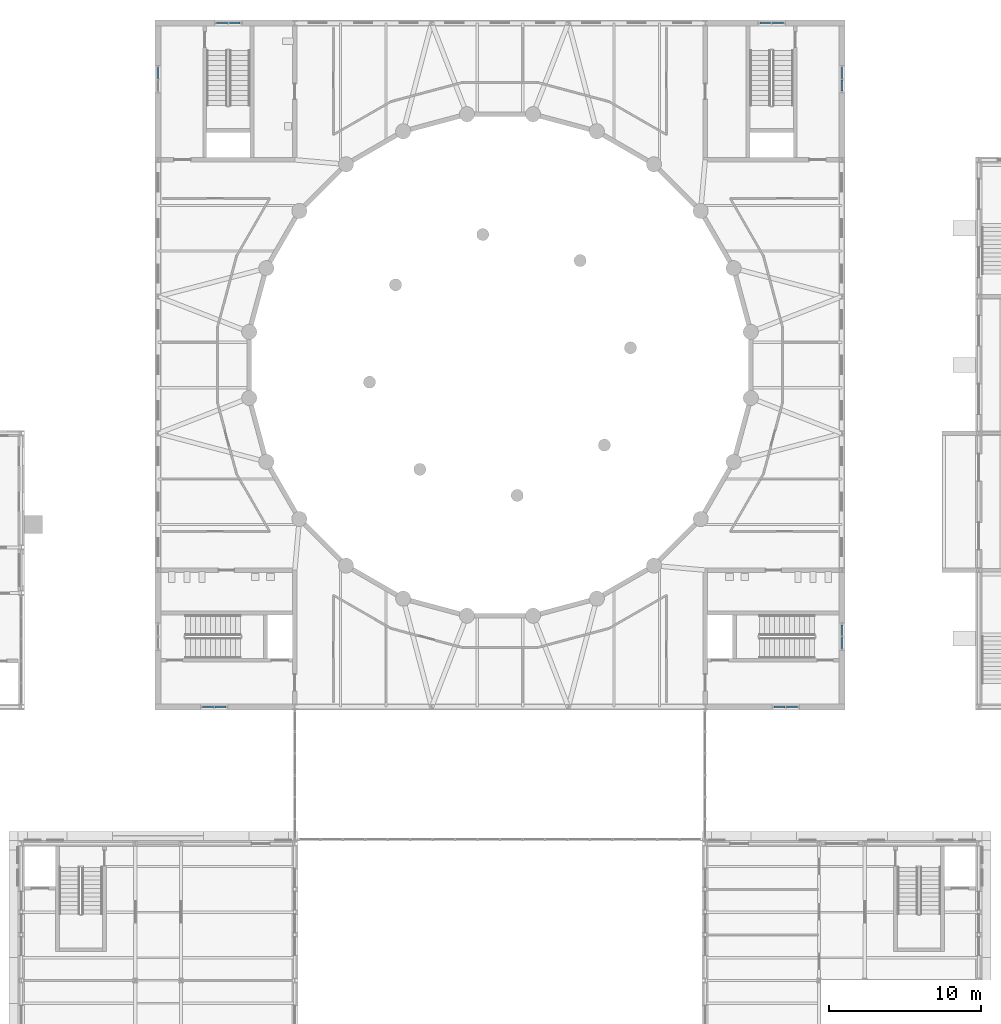
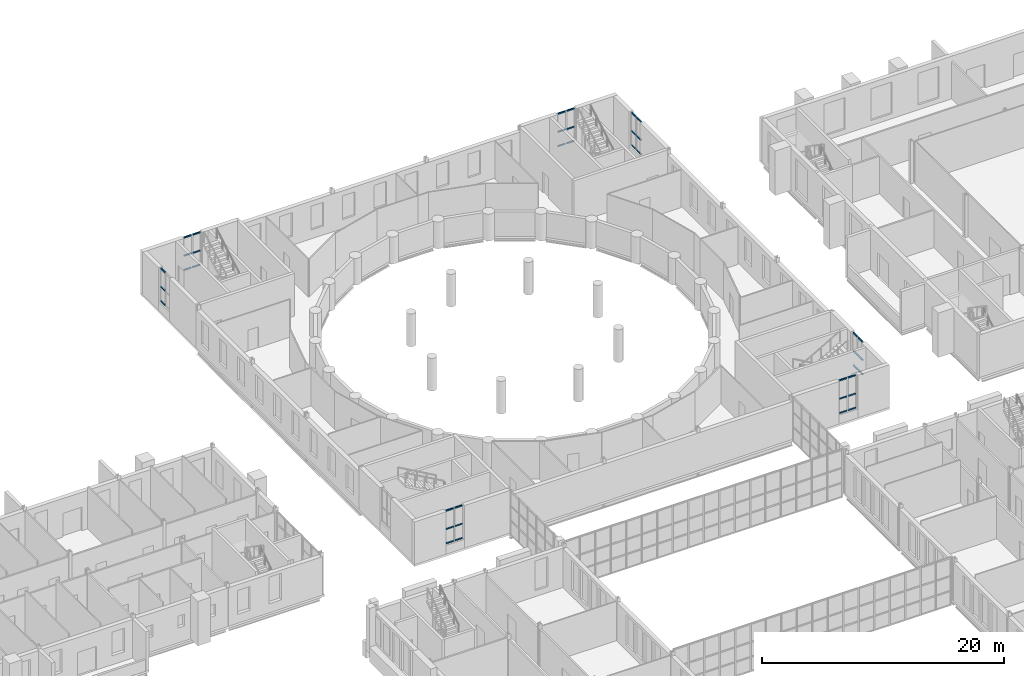
# One storey, part 55 of 134: 39 members, 7 elements without a shape of their own.
"""IFC4 building model written with IfcOpenShell, lengths in metres."""

from ifc_helpers import new_model, si_unit, direction, frame, origin, origin_2d, place, context, subcontext, project, spatial, hollow_rectangle, extrude, material, material_profile, profile_set, type_object, element, aggregate, save


model = new_model("IFC4")

# Units and contexts
model_context = context("Model", 3, precision=1e-05, world=origin(), true_north=direction((0.0, 1.0)))
body_context = subcontext(model_context, "Body", "Model", "MODEL_VIEW")
ifc_project = project(units=[si_unit("LENGTHUNIT", "METRE"), si_unit("AREAUNIT", "SQUARE_METRE"), si_unit("VOLUMEUNIT", "CUBIC_METRE"), si_unit("PLANEANGLEUNIT", "RADIAN"), si_unit("MASSUNIT", "GRAM", prefix="KILO")], contexts=[model_context])

# Site, building, storey
site_placement = place(None, origin())
site = spatial("IfcSite", under=ifc_project, at=site_placement, CompositionType="ELEMENT")
building_placement = place(site_placement, origin())
building = spatial("IfcBuilding", under=site, at=building_placement, Name="Golden Quay Civic Hall", CompositionType="ELEMENT")
storey_placement = place(building_placement, frame((0.0, 0.0, 5.39990234375)))
storey = spatial("IfcBuildingStorey", under=building, at=storey_placement, Name="L01", CompositionType="ELEMENT", Elevation=5.39990234375)

# Curtain wall, members
ifc_material_1 = material(Name="Fire-resisting glass and steel", Category="steel")
curtain_wall_type = type_object("IfcCurtainWallType", Name="Fire-resisting glazed stair curtain wall EI 120", PredefinedType="NOTDEFINED", material=ifc_material_1)
curtain_wall_1_placement = place(storey_placement, origin())
curtain_wall_1 = element("IfcCurtainWall", 1, at=curtain_wall_1_placement, inside=storey, type_object=curtain_wall_type, Name="CW4 stair curtain wall", PredefinedType="NOTDEFINED")
ifc_material_2 = material(Name="Steel S355", Category="steel")
ifc_material_profile = material_profile(ifc_material_2, hollow_rectangle(XDim=0.1201171875, YDim=0.1201171875, WallThickness=0.012451171875, at=origin_2d()), Name="SHS 120x120x12.5")
ifc_profile_set = profile_set([ifc_material_profile], Name="Steel S355")
member_type = type_object("IfcMemberType", Name="Fire-resisting steel stair transom 120 x 120", PredefinedType="USERDEFINED", material=ifc_profile_set)
member_1_placement = place(storey_placement, frame((65.919921875, 63.0, 0.960205078125), z_axis=(1.0, 0.0, 0.0), x_axis=(0.0, 1.0, 0.0)))
member_1 = element("IfcMember", 2, at=member_1_placement, type_object=member_type, Name="CW4 transom 1.1", ObjectType="TRANSOM", PredefinedType="USERDEFINED", context=body_context, shape_type="SweptSolid", body=[
    extrude(hollow_rectangle(XDim=0.1201171875, YDim=0.1201171875, WallThickness=0.012451171875, at=origin_2d()), origin(), (0.0, 0.0, 1.0), 0.719970703125),
])
member_2_placement = place(storey_placement, frame((65.919921875, 63.0, 2.400146484375), z_axis=(1.0, 0.0, 0.0), x_axis=(0.0, 1.0, 0.0)))
member_2 = element("IfcMember", 3, at=member_2_placement, type_object=member_type, Name="CW4 transom 1.2", ObjectType="TRANSOM", PredefinedType="USERDEFINED", context=body_context, shape_type="SweptSolid", body=[
    extrude(hollow_rectangle(XDim=0.1201171875, YDim=0.1201171875, WallThickness=0.012451171875, at=origin_2d()), origin(), (0.0, 0.0, 1.0), 0.719970703125),
])
member_3_placement = place(storey_placement, frame((65.919921875, 63.0, 4.239990234375), z_axis=(1.0, 0.0, 0.0), x_axis=(0.0, 1.0, 0.0)))
member_3 = element("IfcMember", 4, at=member_3_placement, type_object=member_type, Name="CW4 transom 1.3", ObjectType="TRANSOM", PredefinedType="USERDEFINED", context=body_context, shape_type="SweptSolid", body=[
    extrude(hollow_rectangle(XDim=0.1201171875, YDim=0.1201171875, WallThickness=0.012451171875, at=origin_2d()), origin(), (0.0, 0.0, 1.0), 0.719970703125),
])
member_4_placement = place(storey_placement, frame((66.760009765625, 63.0, 0.960205078125), z_axis=(1.0, 0.0, 0.0), x_axis=(0.0, 1.0, 0.0)))
member_4 = element("IfcMember", 5, at=member_4_placement, type_object=member_type, Name="CW4 transom 2.1", ObjectType="TRANSOM", PredefinedType="USERDEFINED", context=body_context, shape_type="SweptSolid", body=[
    extrude(hollow_rectangle(XDim=0.1201171875, YDim=0.1201171875, WallThickness=0.012451171875, at=origin_2d()), origin(), (0.0, 0.0, 1.0), 0.719970703125),
])
member_5_placement = place(storey_placement, frame((66.760009765625, 63.0, 2.400146484375), z_axis=(1.0, 0.0, 0.0), x_axis=(0.0, 1.0, 0.0)))
member_5 = element("IfcMember", 6, at=member_5_placement, type_object=member_type, Name="CW4 transom 2.2", ObjectType="TRANSOM", PredefinedType="USERDEFINED", context=body_context, shape_type="SweptSolid", body=[
    extrude(hollow_rectangle(XDim=0.1201171875, YDim=0.1201171875, WallThickness=0.012451171875, at=origin_2d()), origin(), (0.0, 0.0, 1.0), 0.719970703125),
])
member_6_placement = place(storey_placement, frame((66.760009765625, 63.0, 4.239990234375), z_axis=(1.0, 0.0, 0.0), x_axis=(0.0, 1.0, 0.0)))
member_6 = element("IfcMember", 7, at=member_6_placement, type_object=member_type, Name="CW4 transom 2.3", ObjectType="TRANSOM", PredefinedType="USERDEFINED", context=body_context, shape_type="SweptSolid", body=[
    extrude(hollow_rectangle(XDim=0.1201171875, YDim=0.1201171875, WallThickness=0.012451171875, at=origin_2d()), origin(), (0.0, 0.0, 1.0), 0.719970703125),
])
aggregate(curtain_wall_1, [member_1, member_2, member_3, member_4, member_5, member_6])

curtain_wall_2_placement = place(storey_placement, origin())
curtain_wall_2 = element("IfcCurtainWall", 8, at=curtain_wall_2_placement, inside=storey, type_object=curtain_wall_type, Name="CW4 stair curtain wall", PredefinedType="NOTDEFINED")
member_7_placement = place(storey_placement, frame((103.52001953125, 63.0, 0.960205078125), z_axis=(1.0, 0.0, 0.0), x_axis=(0.0, 1.0, 0.0)))
member_7 = element("IfcMember", 9, at=member_7_placement, type_object=member_type, Name="CW4 transom 1.1", ObjectType="TRANSOM", PredefinedType="USERDEFINED", context=body_context, shape_type="SweptSolid", body=[
    extrude(hollow_rectangle(XDim=0.1201171875, YDim=0.1201171875, WallThickness=0.012451171875, at=origin_2d()), origin(), (0.0, 0.0, 1.0), 0.719970703125),
])
member_8_placement = place(storey_placement, frame((103.52001953125, 63.0, 2.400146484375), z_axis=(1.0, 0.0, 0.0), x_axis=(0.0, 1.0, 0.0)))
member_8 = element("IfcMember", 10, at=member_8_placement, type_object=member_type, Name="CW4 transom 1.2", ObjectType="TRANSOM", PredefinedType="USERDEFINED", context=body_context, shape_type="SweptSolid", body=[
    extrude(hollow_rectangle(XDim=0.1201171875, YDim=0.1201171875, WallThickness=0.012451171875, at=origin_2d()), origin(), (0.0, 0.0, 1.0), 0.719970703125),
])
member_9_placement = place(storey_placement, frame((103.52001953125, 63.0, 4.239990234375), z_axis=(1.0, 0.0, 0.0), x_axis=(0.0, 1.0, 0.0)))
member_9 = element("IfcMember", 11, at=member_9_placement, type_object=member_type, Name="CW4 transom 1.3", ObjectType="TRANSOM", PredefinedType="USERDEFINED", context=body_context, shape_type="SweptSolid", body=[
    extrude(hollow_rectangle(XDim=0.1201171875, YDim=0.1201171875, WallThickness=0.012451171875, at=origin_2d()), origin(), (0.0, 0.0, 1.0), 0.719970703125),
])
member_10_placement = place(storey_placement, frame((104.360107421875, 63.0, 0.960205078125), z_axis=(1.0, 0.0, 0.0), x_axis=(0.0, 1.0, 0.0)))
member_10 = element("IfcMember", 12, at=member_10_placement, type_object=member_type, Name="CW4 transom 2.1", ObjectType="TRANSOM", PredefinedType="USERDEFINED", context=body_context, shape_type="SweptSolid", body=[
    extrude(hollow_rectangle(XDim=0.1201171875, YDim=0.1201171875, WallThickness=0.012451171875, at=origin_2d()), origin(), (0.0, 0.0, 1.0), 0.719970703125),
])
member_11_placement = place(storey_placement, frame((104.360107421875, 63.0, 2.400146484375), z_axis=(1.0, 0.0, 0.0), x_axis=(0.0, 1.0, 0.0)))
member_11 = element("IfcMember", 13, at=member_11_placement, type_object=member_type, Name="CW4 transom 2.2", ObjectType="TRANSOM", PredefinedType="USERDEFINED", context=body_context, shape_type="SweptSolid", body=[
    extrude(hollow_rectangle(XDim=0.1201171875, YDim=0.1201171875, WallThickness=0.012451171875, at=origin_2d()), origin(), (0.0, 0.0, 1.0), 0.719970703125),
])
member_12_placement = place(storey_placement, frame((104.360107421875, 63.0, 4.239990234375), z_axis=(1.0, 0.0, 0.0), x_axis=(0.0, 1.0, 0.0)))
member_12 = element("IfcMember", 14, at=member_12_placement, type_object=member_type, Name="CW4 transom 2.3", ObjectType="TRANSOM", PredefinedType="USERDEFINED", context=body_context, shape_type="SweptSolid", body=[
    extrude(hollow_rectangle(XDim=0.1201171875, YDim=0.1201171875, WallThickness=0.012451171875, at=origin_2d()), origin(), (0.0, 0.0, 1.0), 0.719970703125),
])
aggregate(curtain_wall_2, [member_7, member_8, member_9, member_10, member_11, member_12])

curtain_wall_3_placement = place(storey_placement, origin())
curtain_wall_3 = element("IfcCurtainWall", 15, at=curtain_wall_3_placement, inside=storey, type_object=curtain_wall_type, Name="CW4 stair curtain wall", PredefinedType="NOTDEFINED")
member_13_placement = place(storey_placement, frame((66.844970703125, 108.0, 0.960205078125), z_axis=(1.0, 0.0, 0.0), x_axis=(0.0, 1.0, 0.0)))
member_13 = element("IfcMember", 16, at=member_13_placement, type_object=member_type, Name="CW4 transom 1.1", ObjectType="TRANSOM", PredefinedType="USERDEFINED", context=body_context, shape_type="SweptSolid", body=[
    extrude(hollow_rectangle(XDim=0.1201171875, YDim=0.1201171875, WallThickness=0.012451171875, at=origin_2d()), origin(), (0.0, 0.0, 1.0), 0.719970703125),
])
member_14_placement = place(storey_placement, frame((66.844970703125, 108.0, 2.400146484375), z_axis=(1.0, 0.0, 0.0), x_axis=(0.0, 1.0, 0.0)))
member_14 = element("IfcMember", 17, at=member_14_placement, type_object=member_type, Name="CW4 transom 1.2", ObjectType="TRANSOM", PredefinedType="USERDEFINED", context=body_context, shape_type="SweptSolid", body=[
    extrude(hollow_rectangle(XDim=0.1201171875, YDim=0.1201171875, WallThickness=0.012451171875, at=origin_2d()), origin(), (0.0, 0.0, 1.0), 0.719970703125),
])
member_15_placement = place(storey_placement, frame((66.844970703125, 108.0, 4.239990234375), z_axis=(1.0, 0.0, 0.0), x_axis=(0.0, 1.0, 0.0)))
member_15 = element("IfcMember", 18, at=member_15_placement, type_object=member_type, Name="CW4 transom 1.3", ObjectType="TRANSOM", PredefinedType="USERDEFINED", context=body_context, shape_type="SweptSolid", body=[
    extrude(hollow_rectangle(XDim=0.1201171875, YDim=0.1201171875, WallThickness=0.012451171875, at=origin_2d()), origin(), (0.0, 0.0, 1.0), 0.719970703125),
])
member_16_placement = place(storey_placement, frame((67.68505859375, 108.0, 0.960205078125), z_axis=(1.0, 0.0, 0.0), x_axis=(0.0, 1.0, 0.0)))
member_16 = element("IfcMember", 19, at=member_16_placement, type_object=member_type, Name="CW4 transom 2.1", ObjectType="TRANSOM", PredefinedType="USERDEFINED", context=body_context, shape_type="SweptSolid", body=[
    extrude(hollow_rectangle(XDim=0.1201171875, YDim=0.1201171875, WallThickness=0.012451171875, at=origin_2d()), origin(), (0.0, 0.0, 1.0), 0.719970703125),
])
member_17_placement = place(storey_placement, frame((67.68505859375, 108.0, 2.400146484375), z_axis=(1.0, 0.0, 0.0), x_axis=(0.0, 1.0, 0.0)))
member_17 = element("IfcMember", 20, at=member_17_placement, type_object=member_type, Name="CW4 transom 2.2", ObjectType="TRANSOM", PredefinedType="USERDEFINED", context=body_context, shape_type="SweptSolid", body=[
    extrude(hollow_rectangle(XDim=0.1201171875, YDim=0.1201171875, WallThickness=0.012451171875, at=origin_2d()), origin(), (0.0, 0.0, 1.0), 0.719970703125),
])
member_18_placement = place(storey_placement, frame((67.68505859375, 108.0, 4.239990234375), z_axis=(1.0, 0.0, 0.0), x_axis=(0.0, 1.0, 0.0)))
member_18 = element("IfcMember", 21, at=member_18_placement, type_object=member_type, Name="CW4 transom 2.3", ObjectType="TRANSOM", PredefinedType="USERDEFINED", context=body_context, shape_type="SweptSolid", body=[
    extrude(hollow_rectangle(XDim=0.1201171875, YDim=0.1201171875, WallThickness=0.012451171875, at=origin_2d()), origin(), (0.0, 0.0, 1.0), 0.719970703125),
])
aggregate(curtain_wall_3, [member_13, member_14, member_15, member_16, member_17, member_18])

curtain_wall_4_placement = place(storey_placement, origin())
curtain_wall_4 = element("IfcCurtainWall", 22, at=curtain_wall_4_placement, inside=storey, type_object=curtain_wall_type, Name="CW4 stair curtain wall", PredefinedType="NOTDEFINED")
member_19_placement = place(storey_placement, frame((102.594970703125, 108.0, 0.960205078125), z_axis=(1.0, 0.0, 0.0), x_axis=(0.0, 1.0, 0.0)))
member_19 = element("IfcMember", 23, at=member_19_placement, type_object=member_type, Name="CW4 transom 1.1", ObjectType="TRANSOM", PredefinedType="USERDEFINED", context=body_context, shape_type="SweptSolid", body=[
    extrude(hollow_rectangle(XDim=0.1201171875, YDim=0.1201171875, WallThickness=0.012451171875, at=origin_2d()), origin(), (0.0, 0.0, 1.0), 0.719970703125),
])
member_20_placement = place(storey_placement, frame((102.594970703125, 108.0, 2.400146484375), z_axis=(1.0, 0.0, 0.0), x_axis=(0.0, 1.0, 0.0)))
member_20 = element("IfcMember", 24, at=member_20_placement, type_object=member_type, Name="CW4 transom 1.2", ObjectType="TRANSOM", PredefinedType="USERDEFINED", context=body_context, shape_type="SweptSolid", body=[
    extrude(hollow_rectangle(XDim=0.1201171875, YDim=0.1201171875, WallThickness=0.012451171875, at=origin_2d()), origin(), (0.0, 0.0, 1.0), 0.719970703125),
])
member_21_placement = place(storey_placement, frame((102.594970703125, 108.0, 4.239990234375), z_axis=(1.0, 0.0, 0.0), x_axis=(0.0, 1.0, 0.0)))
member_21 = element("IfcMember", 25, at=member_21_placement, type_object=member_type, Name="CW4 transom 1.3", ObjectType="TRANSOM", PredefinedType="USERDEFINED", context=body_context, shape_type="SweptSolid", body=[
    extrude(hollow_rectangle(XDim=0.1201171875, YDim=0.1201171875, WallThickness=0.012451171875, at=origin_2d()), origin(), (0.0, 0.0, 1.0), 0.719970703125),
])
member_22_placement = place(storey_placement, frame((103.43505859375, 108.0, 0.960205078125), z_axis=(1.0, 0.0, 0.0), x_axis=(0.0, 1.0, 0.0)))
member_22 = element("IfcMember", 26, at=member_22_placement, type_object=member_type, Name="CW4 transom 2.1", ObjectType="TRANSOM", PredefinedType="USERDEFINED", context=body_context, shape_type="SweptSolid", body=[
    extrude(hollow_rectangle(XDim=0.1201171875, YDim=0.1201171875, WallThickness=0.012451171875, at=origin_2d()), origin(), (0.0, 0.0, 1.0), 0.719970703125),
])
member_23_placement = place(storey_placement, frame((103.43505859375, 108.0, 2.400146484375), z_axis=(1.0, 0.0, 0.0), x_axis=(0.0, 1.0, 0.0)))
member_23 = element("IfcMember", 27, at=member_23_placement, type_object=member_type, Name="CW4 transom 2.2", ObjectType="TRANSOM", PredefinedType="USERDEFINED", context=body_context, shape_type="SweptSolid", body=[
    extrude(hollow_rectangle(XDim=0.1201171875, YDim=0.1201171875, WallThickness=0.012451171875, at=origin_2d()), origin(), (0.0, 0.0, 1.0), 0.719970703125),
])
member_24_placement = place(storey_placement, frame((103.43505859375, 108.0, 4.239990234375), z_axis=(1.0, 0.0, 0.0), x_axis=(0.0, 1.0, 0.0)))
member_24 = element("IfcMember", 28, at=member_24_placement, type_object=member_type, Name="CW4 transom 2.3", ObjectType="TRANSOM", PredefinedType="USERDEFINED", context=body_context, shape_type="SweptSolid", body=[
    extrude(hollow_rectangle(XDim=0.1201171875, YDim=0.1201171875, WallThickness=0.012451171875, at=origin_2d()), origin(), (0.0, 0.0, 1.0), 0.719970703125),
])
aggregate(curtain_wall_4, [member_19, member_20, member_21, member_22, member_23, member_24])

curtain_wall_5_placement = place(storey_placement, origin())
curtain_wall_5 = element("IfcCurtainWall", 29, at=curtain_wall_5_placement, inside=storey, type_object=curtain_wall_type, Name="CW4 stair curtain wall", PredefinedType="NOTDEFINED")
member_25_placement = place(storey_placement, frame((63.0, 104.360107421875, 0.960205078125), z_axis=(0.0, 1.0, 0.0), x_axis=(-1.0, 0.0, 0.0)))
member_25 = element("IfcMember", 30, at=member_25_placement, type_object=member_type, Name="CW4 transom 2.1", ObjectType="TRANSOM", PredefinedType="USERDEFINED", context=body_context, shape_type="SweptSolid", body=[
    extrude(hollow_rectangle(XDim=0.1201171875, YDim=0.1201171875, WallThickness=0.012451171875, at=origin_2d()), origin(), (0.0, 0.0, 1.0), 0.719970703125),
])
member_26_placement = place(storey_placement, frame((63.0, 104.360107421875, 2.400146484375), z_axis=(0.0, 1.0, 0.0), x_axis=(-1.0, 0.0, 0.0)))
member_26 = element("IfcMember", 31, at=member_26_placement, type_object=member_type, Name="CW4 transom 2.2", ObjectType="TRANSOM", PredefinedType="USERDEFINED", context=body_context, shape_type="SweptSolid", body=[
    extrude(hollow_rectangle(XDim=0.1201171875, YDim=0.1201171875, WallThickness=0.012451171875, at=origin_2d()), origin(), (0.0, 0.0, 1.0), 0.719970703125),
])
member_27_placement = place(storey_placement, frame((63.0, 104.360107421875, 4.239990234375), z_axis=(0.0, 1.0, 0.0), x_axis=(-1.0, 0.0, 0.0)))
member_27 = element("IfcMember", 32, at=member_27_placement, type_object=member_type, Name="CW4 transom 2.3", ObjectType="TRANSOM", PredefinedType="USERDEFINED", context=body_context, shape_type="SweptSolid", body=[
    extrude(hollow_rectangle(XDim=0.1201171875, YDim=0.1201171875, WallThickness=0.012451171875, at=origin_2d()), origin(), (0.0, 0.0, 1.0), 0.719970703125),
])
aggregate(curtain_wall_5, [member_25, member_26, member_27])

curtain_wall_6_placement = place(storey_placement, origin())
curtain_wall_6 = element("IfcCurtainWall", 33, at=curtain_wall_6_placement, inside=storey, type_object=curtain_wall_type, Name="CW4 stair curtain wall", PredefinedType="NOTDEFINED")
member_28_placement = place(storey_placement, frame((108.0, 66.844970703125, 0.960205078125), z_axis=(0.0, 1.0, 0.0), x_axis=(-1.0, 0.0, 0.0)))
member_28 = element("IfcMember", 34, at=member_28_placement, type_object=member_type, Name="CW4 transom 1.1", ObjectType="TRANSOM", PredefinedType="USERDEFINED", context=body_context, shape_type="SweptSolid", body=[
    extrude(hollow_rectangle(XDim=0.1201171875, YDim=0.1201171875, WallThickness=0.012451171875, at=origin_2d()), origin(), (0.0, 0.0, 1.0), 0.719970703125),
])
member_29_placement = place(storey_placement, frame((108.0, 66.844970703125, 2.400146484375), z_axis=(0.0, 1.0, 0.0), x_axis=(-1.0, 0.0, 0.0)))
member_29 = element("IfcMember", 35, at=member_29_placement, type_object=member_type, Name="CW4 transom 1.2", ObjectType="TRANSOM", PredefinedType="USERDEFINED", context=body_context, shape_type="SweptSolid", body=[
    extrude(hollow_rectangle(XDim=0.1201171875, YDim=0.1201171875, WallThickness=0.012451171875, at=origin_2d()), origin(), (0.0, 0.0, 1.0), 0.719970703125),
])
member_30_placement = place(storey_placement, frame((108.0, 66.844970703125, 4.239990234375), z_axis=(0.0, 1.0, 0.0), x_axis=(-1.0, 0.0, 0.0)))
member_30 = element("IfcMember", 36, at=member_30_placement, type_object=member_type, Name="CW4 transom 1.3", ObjectType="TRANSOM", PredefinedType="USERDEFINED", context=body_context, shape_type="SweptSolid", body=[
    extrude(hollow_rectangle(XDim=0.1201171875, YDim=0.1201171875, WallThickness=0.012451171875, at=origin_2d()), origin(), (0.0, 0.0, 1.0), 0.719970703125),
])
member_31_placement = place(storey_placement, frame((108.0, 67.68505859375, 0.960205078125), z_axis=(0.0, 1.0, 0.0), x_axis=(-1.0, 0.0, 0.0)))
member_31 = element("IfcMember", 37, at=member_31_placement, type_object=member_type, Name="CW4 transom 2.1", ObjectType="TRANSOM", PredefinedType="USERDEFINED", context=body_context, shape_type="SweptSolid", body=[
    extrude(hollow_rectangle(XDim=0.1201171875, YDim=0.1201171875, WallThickness=0.012451171875, at=origin_2d()), origin(), (0.0, 0.0, 1.0), 0.719970703125),
])
member_32_placement = place(storey_placement, frame((108.0, 67.68505859375, 2.400146484375), z_axis=(0.0, 1.0, 0.0), x_axis=(-1.0, 0.0, 0.0)))
member_32 = element("IfcMember", 38, at=member_32_placement, type_object=member_type, Name="CW4 transom 2.2", ObjectType="TRANSOM", PredefinedType="USERDEFINED", context=body_context, shape_type="SweptSolid", body=[
    extrude(hollow_rectangle(XDim=0.1201171875, YDim=0.1201171875, WallThickness=0.012451171875, at=origin_2d()), origin(), (0.0, 0.0, 1.0), 0.719970703125),
])
member_33_placement = place(storey_placement, frame((108.0, 67.68505859375, 4.239990234375), z_axis=(0.0, 1.0, 0.0), x_axis=(-1.0, 0.0, 0.0)))
member_33 = element("IfcMember", 39, at=member_33_placement, type_object=member_type, Name="CW4 transom 2.3", ObjectType="TRANSOM", PredefinedType="USERDEFINED", context=body_context, shape_type="SweptSolid", body=[
    extrude(hollow_rectangle(XDim=0.1201171875, YDim=0.1201171875, WallThickness=0.012451171875, at=origin_2d()), origin(), (0.0, 0.0, 1.0), 0.719970703125),
])
aggregate(curtain_wall_6, [member_28, member_29, member_30, member_31, member_32, member_33])

curtain_wall_7_placement = place(storey_placement, origin())
curtain_wall_7 = element("IfcCurtainWall", 40, at=curtain_wall_7_placement, inside=storey, type_object=curtain_wall_type, Name="CW4 stair curtain wall", PredefinedType="NOTDEFINED")
member_34_placement = place(storey_placement, frame((108.0, 103.52001953125, 0.960205078125), z_axis=(0.0, 1.0, 0.0), x_axis=(-1.0, 0.0, 0.0)))
member_34 = element("IfcMember", 41, at=member_34_placement, type_object=member_type, Name="CW4 transom 1.1", ObjectType="TRANSOM", PredefinedType="USERDEFINED", context=body_context, shape_type="SweptSolid", body=[
    extrude(hollow_rectangle(XDim=0.1201171875, YDim=0.1201171875, WallThickness=0.012451171875, at=origin_2d()), origin(), (0.0, 0.0, 1.0), 0.719970703125),
])
member_35_placement = place(storey_placement, frame((108.0, 103.52001953125, 2.400146484375), z_axis=(0.0, 1.0, 0.0), x_axis=(-1.0, 0.0, 0.0)))
member_35 = element("IfcMember", 42, at=member_35_placement, type_object=member_type, Name="CW4 transom 1.2", ObjectType="TRANSOM", PredefinedType="USERDEFINED", context=body_context, shape_type="SweptSolid", body=[
    extrude(hollow_rectangle(XDim=0.1201171875, YDim=0.1201171875, WallThickness=0.012451171875, at=origin_2d()), origin(), (0.0, 0.0, 1.0), 0.719970703125),
])
member_36_placement = place(storey_placement, frame((108.0, 103.52001953125, 4.239990234375), z_axis=(0.0, 1.0, 0.0), x_axis=(-1.0, 0.0, 0.0)))
member_36 = element("IfcMember", 43, at=member_36_placement, type_object=member_type, Name="CW4 transom 1.3", ObjectType="TRANSOM", PredefinedType="USERDEFINED", context=body_context, shape_type="SweptSolid", body=[
    extrude(hollow_rectangle(XDim=0.1201171875, YDim=0.1201171875, WallThickness=0.012451171875, at=origin_2d()), origin(), (0.0, 0.0, 1.0), 0.719970703125),
])
member_37_placement = place(storey_placement, frame((108.0, 104.360107421875, 0.960205078125), z_axis=(0.0, 1.0, 0.0), x_axis=(-1.0, 0.0, 0.0)))
member_37 = element("IfcMember", 44, at=member_37_placement, type_object=member_type, Name="CW4 transom 2.1", ObjectType="TRANSOM", PredefinedType="USERDEFINED", context=body_context, shape_type="SweptSolid", body=[
    extrude(hollow_rectangle(XDim=0.1201171875, YDim=0.1201171875, WallThickness=0.012451171875, at=origin_2d()), origin(), (0.0, 0.0, 1.0), 0.719970703125),
])
member_38_placement = place(storey_placement, frame((108.0, 104.360107421875, 2.400146484375), z_axis=(0.0, 1.0, 0.0), x_axis=(-1.0, 0.0, 0.0)))
member_38 = element("IfcMember", 45, at=member_38_placement, type_object=member_type, Name="CW4 transom 2.2", ObjectType="TRANSOM", PredefinedType="USERDEFINED", context=body_context, shape_type="SweptSolid", body=[
    extrude(hollow_rectangle(XDim=0.1201171875, YDim=0.1201171875, WallThickness=0.012451171875, at=origin_2d()), origin(), (0.0, 0.0, 1.0), 0.719970703125),
])
member_39_placement = place(storey_placement, frame((108.0, 104.360107421875, 4.239990234375), z_axis=(0.0, 1.0, 0.0), x_axis=(-1.0, 0.0, 0.0)))
member_39 = element("IfcMember", 46, at=member_39_placement, type_object=member_type, Name="CW4 transom 2.3", ObjectType="TRANSOM", PredefinedType="USERDEFINED", context=body_context, shape_type="SweptSolid", body=[
    extrude(hollow_rectangle(XDim=0.1201171875, YDim=0.1201171875, WallThickness=0.012451171875, at=origin_2d()), origin(), (0.0, 0.0, 1.0), 0.719970703125),
])
aggregate(curtain_wall_7, [member_34, member_35, member_36, member_37, member_38, member_39])

save(model, "model.ifc")
